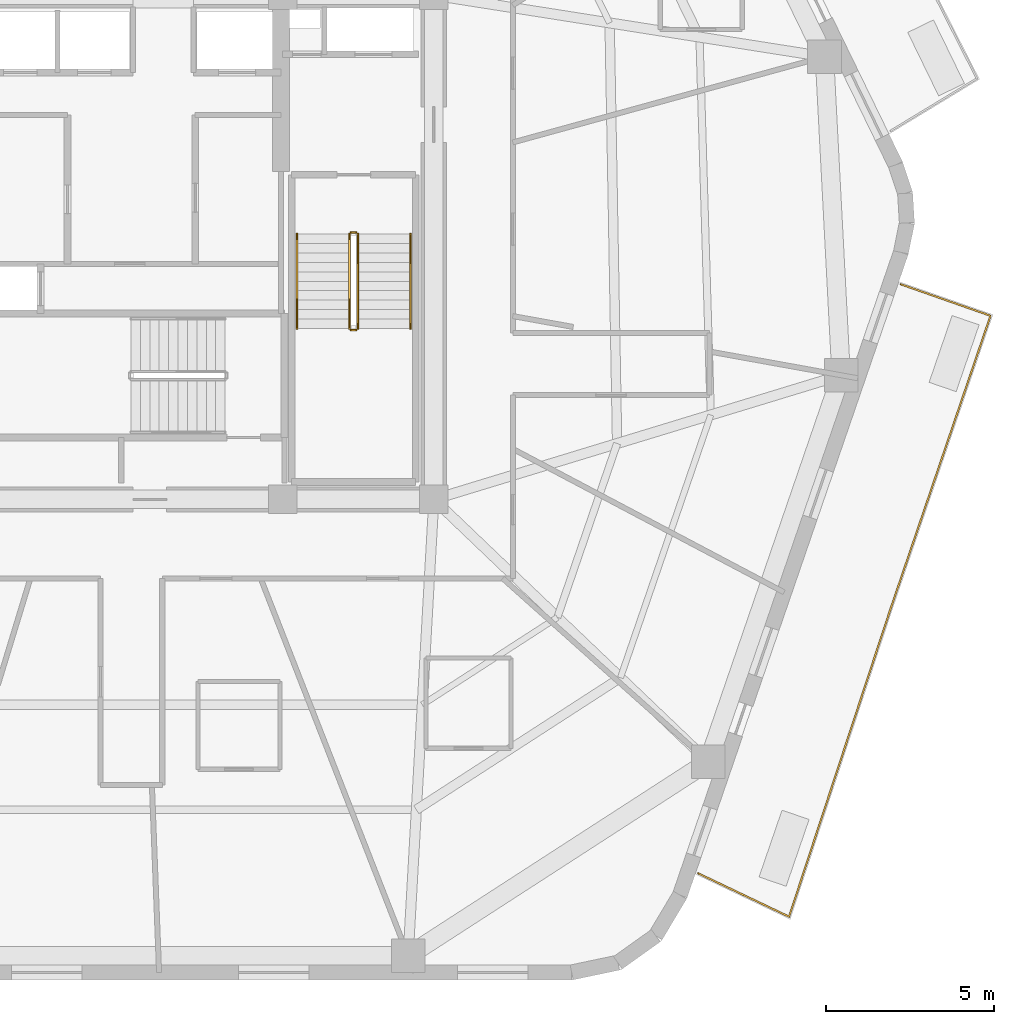
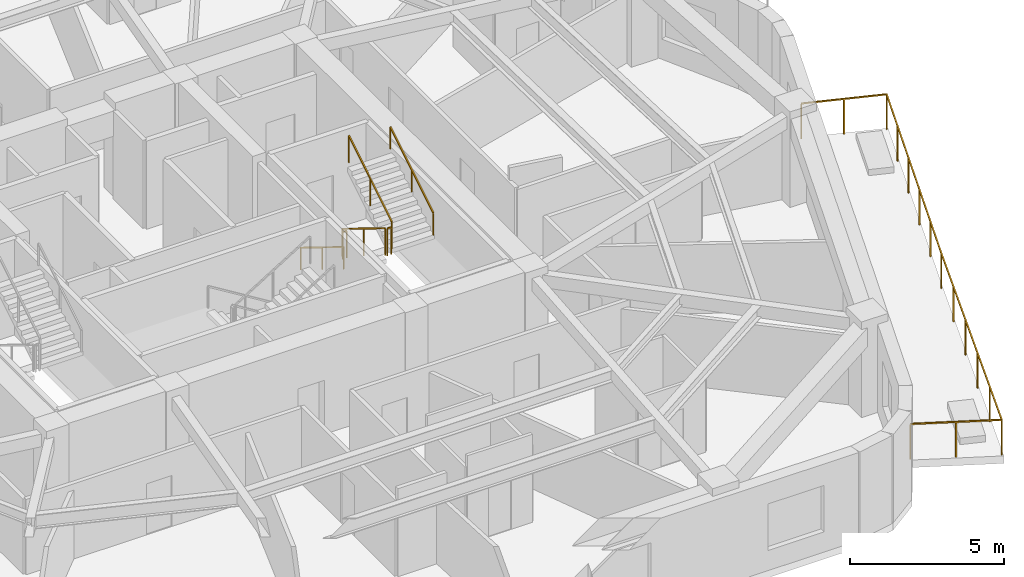
# One storey, part 8 of 9: 7 railings.
"""IFC4 building model written with IfcOpenShell, lengths in metres."""

from ifc_helpers import new_model, si_unit, direction, frame, origin, origin_2d, place, context, subcontext, project, spatial, rectangle, extrude, material, layer, layer_set, type_object, element, save


model = new_model("IFC4")

# Units and contexts
model_context = context("Model", 3, precision=1e-05, world=origin(), true_north=direction((0.0, 1.0)))
body_context = subcontext(model_context, "Body", "Model", "MODEL_VIEW")
ifc_project = project(units=[si_unit("LENGTHUNIT", "METRE"), si_unit("AREAUNIT", "SQUARE_METRE"), si_unit("VOLUMEUNIT", "CUBIC_METRE"), si_unit("PLANEANGLEUNIT", "RADIAN"), si_unit("MASSUNIT", "GRAM", prefix="KILO")], contexts=[model_context])

# Site, building, storey
site_placement = place(None, origin())
site = spatial("IfcSite", under=ifc_project, at=site_placement, CompositionType="ELEMENT")
building_placement = place(site_placement, origin())
building = spatial("IfcBuilding", under=site, at=building_placement, Name="Kilnhurst Terrace Hotel", CompositionType="ELEMENT")
storey_placement = place(building_placement, frame((0.0, 0.0, 233.10009765625)))
storey = spatial("IfcBuildingStorey", under=building, at=storey_placement, Name="L58", CompositionType="ELEMENT", Elevation=233.10009765625)

# Railings
ifc_material_1 = material(Name="Laminated SentryGlas and Stainless Steel AISI 316L Balustrade", Category="steel")
ifc_layer_1 = layer(ifc_material_1, 0.070068359375, Name="Laminated SentryGlas and Stainless Steel AISI 316L Balustrade")
ifc_layer_set_1 = layer_set([ifc_layer_1], Name="Laminated SentryGlas and Stainless Steel AISI 316L Balustrade")
railing_type_1 = type_object("IfcRailingType", Name="RLG-BAL-1420", PredefinedType="BALUSTRADE", material=ifc_layer_set_1)
railing_1_placement = place(storey_placement, frame((22.894287109375, -1.1005859375, 0.0)))
element("IfcRailing", 1, at=railing_1_placement, inside=storey, type_object=railing_type_1, Name="L58 Exterior Terrace Guardrail BAL-L1A.1", PredefinedType="BALUSTRADE", context=body_context, shape_type="SweptSolid", body=[
    extrude(rectangle(XDim=0.048095703125, YDim=0.048095703125, at=origin_2d()), frame((0.0, 0.0, 1.39599609375), z_axis=(0.943611810029, -0.331054001597, 0.0), x_axis=(0.331054001597, 0.943611810029, 0.0)), (0.0, 0.0, 1.0), 2.828125),
    extrude(rectangle(XDim=0.048095703125, YDim=0.048095703125, at=origin_2d()), frame((2.668701171875, -0.936279296875, 1.39599609375), z_axis=(-0.322845243604, -0.946451767753, 0.0), x_axis=(0.946451767753, -0.322845243604, 0.0)), (0.0, 0.0, 1.0), 9.19775390625),
    extrude(rectangle(XDim=0.048095703125, YDim=0.048095703125, at=origin_2d()), frame((-0.30078125, -9.6416015625, 1.39599609375), z_axis=(-0.316227766017, -0.948683298051, 0.0), x_axis=(0.948683298051, -0.316227766017, 0.0)), (0.0, 0.0, 1.0), 0.000732421875),
    extrude(rectangle(XDim=0.048095703125, YDim=0.048095703125, at=origin_2d()), frame((-0.301025390625, -9.642333984375, 1.39599609375), z_axis=(-0.31308682558, -0.949724507238, 0.0), x_axis=(0.949724507238, -0.31308682558, 0.0)), (0.0, 0.0, 1.0), 9.6591796875),
    extrude(rectangle(XDim=0.048095703125, YDim=0.048095703125, at=origin_2d()), frame((-3.3251953125, -18.81591796875, 1.39599609375), z_axis=(-0.902564652544, 0.430554349622, 0.0), x_axis=(-0.430554349622, -0.902564652544, 0.0)), (0.0, 0.0, 1.0), 2.99169921875),
    extrude(rectangle(XDim=0.0419921875, YDim=0.0419921875, at=origin_2d()), origin(), (0.0, 0.0, 1.0), 1.371826171875),
    extrude(rectangle(XDim=0.0419921875, YDim=0.0419921875, at=origin_2d()), frame((1.33447265625, -0.46826171875, 0.0)), (0.0, 0.0, 1.0), 1.371826171875),
    extrude(rectangle(XDim=0.0419921875, YDim=0.0419921875, at=origin_2d()), frame((2.668701171875, -0.936279296875, 0.0)), (0.0, 0.0, 1.0), 1.371826171875),
    extrude(rectangle(XDim=0.0419921875, YDim=0.0419921875, at=origin_2d()), frame((2.07470703125, -2.67724609375, 0.0)), (0.0, 0.0, 1.0), 1.371826171875),
    extrude(rectangle(XDim=0.0419921875, YDim=0.0419921875, at=origin_2d()), frame((1.48095703125, -4.41845703125, 0.0)), (0.0, 0.0, 1.0), 1.371826171875),
    extrude(rectangle(XDim=0.0419921875, YDim=0.0419921875, at=origin_2d()), frame((0.886962890625, -6.159423828125, 0.0)), (0.0, 0.0, 1.0), 1.371826171875),
    extrude(rectangle(XDim=0.0419921875, YDim=0.0419921875, at=origin_2d()), frame((0.293212890625, -7.900634765625, 0.0)), (0.0, 0.0, 1.0), 1.371826171875),
    extrude(rectangle(XDim=0.0419921875, YDim=0.0419921875, at=origin_2d()), frame((-0.30078125, -9.6416015625, 0.0)), (0.0, 0.0, 1.0), 1.371826171875),
    extrude(rectangle(XDim=0.0419921875, YDim=0.0419921875, at=origin_2d()), frame((-0.301025390625, -9.642333984375, 0.0)), (0.0, 0.0, 1.0), 1.371826171875),
    extrude(rectangle(XDim=0.0419921875, YDim=0.0419921875, at=origin_2d()), frame((-0.90576171875, -11.47705078125, 0.0)), (0.0, 0.0, 1.0), 1.371826171875),
    extrude(rectangle(XDim=0.0419921875, YDim=0.0419921875, at=origin_2d()), frame((-1.5107421875, -13.311767578125, 0.0)), (0.0, 0.0, 1.0), 1.371826171875),
    extrude(rectangle(XDim=0.0419921875, YDim=0.0419921875, at=origin_2d()), frame((-2.115478515625, -15.146484375, 0.0)), (0.0, 0.0, 1.0), 1.371826171875),
    extrude(rectangle(XDim=0.0419921875, YDim=0.0419921875, at=origin_2d()), frame((-2.720458984375, -16.981201171875, 0.0)), (0.0, 0.0, 1.0), 1.371826171875),
    extrude(rectangle(XDim=0.0419921875, YDim=0.0419921875, at=origin_2d()), frame((-3.3251953125, -18.81591796875, 0.0)), (0.0, 0.0, 1.0), 1.371826171875),
    extrude(rectangle(XDim=0.0419921875, YDim=0.0419921875, at=origin_2d()), frame((-4.67529296875, -18.171875, 0.0)), (0.0, 0.0, 1.0), 1.371826171875),
    extrude(rectangle(XDim=0.0419921875, YDim=0.0419921875, at=origin_2d()), frame((-6.025390625, -17.52783203125, 0.0)), (0.0, 0.0, 1.0), 1.371826171875),
])
ifc_material_2 = material(Name="Powder-Coated Steel ASTM A500 Grade B", Category="steel")
ifc_layer_2 = layer(ifc_material_2, 0.050048828125, Name="Powder-Coated Steel ASTM A500 Grade B")
ifc_layer_set_2 = layer_set([ifc_layer_2], Name="Powder-Coated Steel ASTM A500 Grade B")
railing_type_2 = type_object("IfcRailingType", Name="RLG-ST-GRD-1100", PredefinedType="GUARDRAIL", material=ifc_layer_set_2)
railing_2_placement = place(storey_placement, frame((6.489990234375, 0.389892578125, 0.172607421875)))
element("IfcRailing", 2, at=railing_2_placement, inside=storey, type_object=railing_type_2, Name="L58 ST-2 stair guard 1", PredefinedType="GUARDRAIL", context=body_context, shape_type="SweptSolid", body=[
    extrude(rectangle(XDim=0.048095703125, YDim=0.048095703125, at=origin_2d()), frame((0.0, 0.0, 1.076171875), z_axis=(0.0, -0.851069175582, 0.525053576669), x_axis=(1.0, 0.0, 0.0)), (0.0, 0.0, 1.0), 3.289794921875),
    extrude(rectangle(XDim=0.0419921875, YDim=0.0419921875, at=origin_2d()), origin(), (0.0, 0.0, 1.0), 1.052001953125),
    extrude(rectangle(XDim=0.0419921875, YDim=0.0419921875, at=origin_2d()), frame((0.0, -1.39990234375, 0.86376953125)), (0.0, 0.0, 1.0), 1.052001953125),
    extrude(rectangle(XDim=0.0419921875, YDim=0.0419921875, at=origin_2d()), frame((0.0, -2.7998046875, 1.727294921875)), (0.0, 0.0, 1.0), 1.052001953125),
])
railing_3_placement = place(storey_placement, frame((6.5400390625, -2.4599609375, 1.89990234375)))
element("IfcRailing", 3, at=railing_3_placement, inside=storey, type_object=railing_type_2, Name="L58 ST-2 stair guard 2", PredefinedType="GUARDRAIL", context=body_context, shape_type="SweptSolid", body=[
    extrude(rectangle(XDim=0.048095703125, YDim=0.048095703125, at=origin_2d()), frame((0.0, 0.0, 1.076171875), z_axis=(1.0, 0.0, 0.0), x_axis=(0.0, 1.0, 0.0)), (0.0, 0.0, 1.0), 0.14990234375),
    extrude(rectangle(XDim=0.0419921875, YDim=0.0419921875, at=origin_2d()), origin(), (0.0, 0.0, 1.0), 1.052001953125),
    extrude(rectangle(XDim=0.0419921875, YDim=0.0419921875, at=origin_2d()), frame((0.14990234375, 0.0, 0.0)), (0.0, 0.0, 1.0), 1.052001953125),
])
railing_4_placement = place(storey_placement, frame((6.739990234375, -2.409912109375, 2.072509765625)))
element("IfcRailing", 4, at=railing_4_placement, inside=storey, type_object=railing_type_2, Name="L58 ST-2 stair guard 3", PredefinedType="GUARDRAIL", context=body_context, shape_type="SweptSolid", body=[
    extrude(rectangle(XDim=0.048095703125, YDim=0.048095703125, at=origin_2d()), frame((0.0, 0.0, 1.076171875), z_axis=(0.0, 0.851069175582, 0.525053576669), x_axis=(-1.0, 0.0, 0.0)), (0.0, 0.0, 1.0), 3.289794921875),
    extrude(rectangle(XDim=0.0419921875, YDim=0.0419921875, at=origin_2d()), origin(), (0.0, 0.0, 1.0), 1.052001953125),
    extrude(rectangle(XDim=0.0419921875, YDim=0.0419921875, at=origin_2d()), frame((0.0, 1.39990234375, 0.86376953125)), (0.0, 0.0, 1.0), 1.052001953125),
    extrude(rectangle(XDim=0.0419921875, YDim=0.0419921875, at=origin_2d()), frame((0.0, 2.7998046875, 1.727294921875)), (0.0, 0.0, 1.0), 1.052001953125),
])
railing_5_placement = place(storey_placement, frame((6.5400390625, 0.43994140625, 0.0)))
element("IfcRailing", 5, at=railing_5_placement, inside=storey, type_object=railing_type_2, Name="L58 ST-2 stair guard 4", PredefinedType="GUARDRAIL", context=body_context, shape_type="SweptSolid", body=[
    extrude(rectangle(XDim=0.048095703125, YDim=0.048095703125, at=origin_2d()), frame((0.0, 0.0, 1.076171875), z_axis=(1.0, 0.0, 0.0), x_axis=(0.0, 1.0, 0.0)), (0.0, 0.0, 1.0), 0.14990234375),
    extrude(rectangle(XDim=0.0419921875, YDim=0.0419921875, at=origin_2d()), origin(), (0.0, 0.0, 1.0), 1.052001953125),
    extrude(rectangle(XDim=0.0419921875, YDim=0.0419921875, at=origin_2d()), frame((0.14990234375, 0.0, 0.0)), (0.0, 0.0, 1.0), 1.052001953125),
])
ifc_material_3 = material(Name="Brushed Stainless Steel AISI 304", Category="steel")
ifc_layer_3 = layer(ifc_material_3, 0.048095703125, Name="Brushed Stainless Steel AISI 304")
ifc_layer_set_3 = layer_set([ifc_layer_3], Name="Brushed Stainless Steel AISI 304")
railing_type_3 = type_object("IfcRailingType", Name="RLG-ST-HRL-900", PredefinedType="HANDRAIL", material=ifc_layer_set_3)
railing_6_placement = place(storey_placement, frame((4.929931640625, 0.389892578125, 0.172607421875)))
element("IfcRailing", 6, at=railing_6_placement, inside=storey, type_object=railing_type_3, Name="L58 ST-2 stair handrail 1", PredefinedType="HANDRAIL", context=body_context, shape_type="SweptSolid", body=[
    extrude(rectangle(XDim=0.048095703125, YDim=0.048095703125, at=origin_2d()), frame((0.0, 0.0, 0.8759765625), z_axis=(0.0, -0.851069175582, 0.525053576669), x_axis=(1.0, 0.0, 0.0)), (0.0, 0.0, 1.0), 3.289794921875),
    extrude(rectangle(XDim=0.0419921875, YDim=0.0419921875, at=origin_2d()), origin(), (0.0, 0.0, 1.0), 0.851806640625),
    extrude(rectangle(XDim=0.0419921875, YDim=0.0419921875, at=origin_2d()), frame((0.0, -1.39990234375, 0.86376953125)), (0.0, 0.0, 1.0), 0.851806640625),
    extrude(rectangle(XDim=0.0419921875, YDim=0.0419921875, at=origin_2d()), frame((0.0, -2.7998046875, 1.727294921875)), (0.0, 0.0, 1.0), 0.851806640625),
])
railing_7_placement = place(storey_placement, frame((8.300048828125, -2.409912109375, 2.072509765625)))
element("IfcRailing", 7, at=railing_7_placement, inside=storey, type_object=railing_type_3, Name="L58 ST-2 stair handrail 2", PredefinedType="HANDRAIL", context=body_context, shape_type="SweptSolid", body=[
    extrude(rectangle(XDim=0.048095703125, YDim=0.048095703125, at=origin_2d()), frame((0.0, 0.0, 0.8759765625), z_axis=(0.0, 0.851069175582, 0.525053576669), x_axis=(-1.0, 0.0, 0.0)), (0.0, 0.0, 1.0), 3.289794921875),
    extrude(rectangle(XDim=0.0419921875, YDim=0.0419921875, at=origin_2d()), origin(), (0.0, 0.0, 1.0), 0.851806640625),
    extrude(rectangle(XDim=0.0419921875, YDim=0.0419921875, at=origin_2d()), frame((0.0, 1.39990234375, 0.86376953125)), (0.0, 0.0, 1.0), 0.851806640625),
    extrude(rectangle(XDim=0.0419921875, YDim=0.0419921875, at=origin_2d()), frame((0.0, 2.7998046875, 1.727294921875)), (0.0, 0.0, 1.0), 0.851806640625),
])

save(model, "model.ifc")
